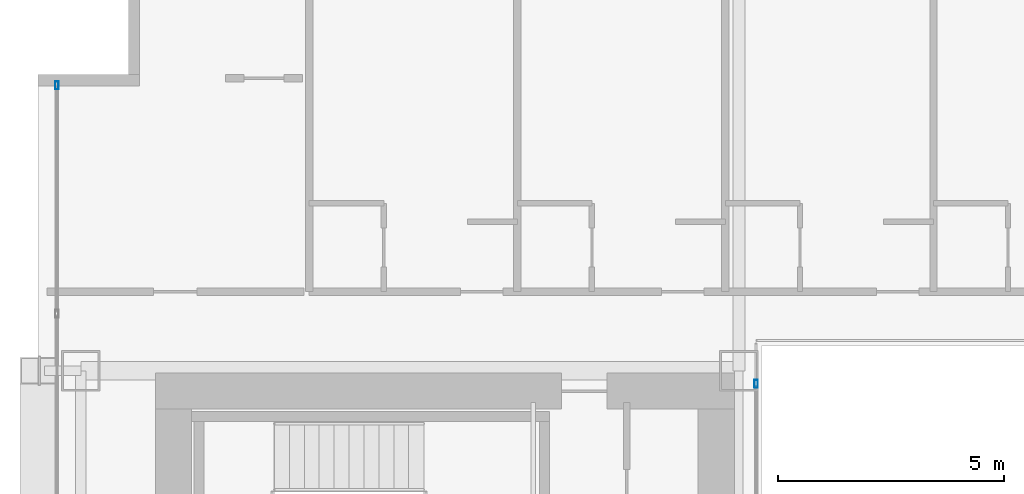
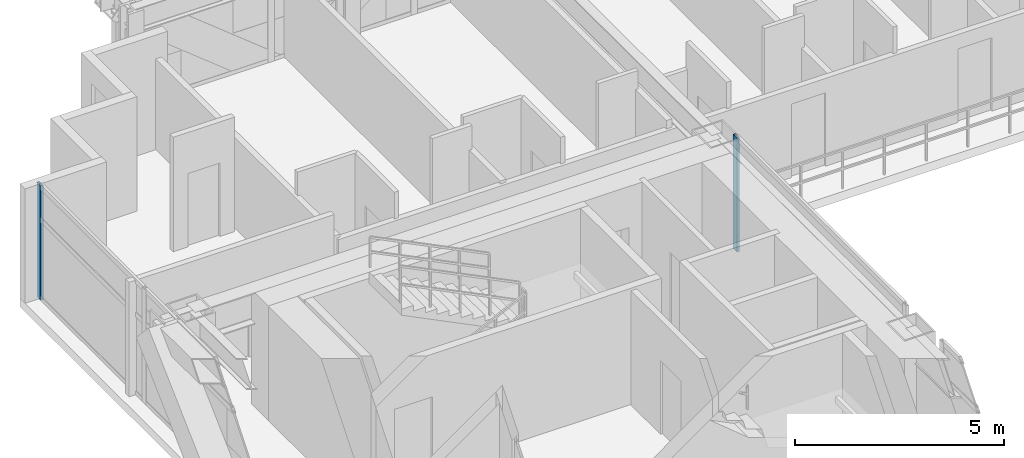
# One storey, part 20 of 41: 2 members, 2 elements without a shape of their own.
"""IFC4 building model written with IfcOpenShell, lengths in metres."""

from ifc_helpers import new_model, si_unit, direction, frame, origin, origin_2d, place, context, subcontext, project, spatial, hollow_rectangle, extrude, source, transform, mapped, material, layer, layer_set, material_profile, profile_set, type_object, element, aggregate, save


model = new_model("IFC4")

# Units and contexts
model_context = context("Model", 3, precision=1e-05, world=origin(), true_north=direction((0.0, 1.0)))
body_context = subcontext(model_context, "Body", "Model", "MODEL_VIEW")
ifc_project = project(units=[si_unit("LENGTHUNIT", "METRE"), si_unit("AREAUNIT", "SQUARE_METRE"), si_unit("VOLUMEUNIT", "CUBIC_METRE"), si_unit("PLANEANGLEUNIT", "RADIAN"), si_unit("MASSUNIT", "GRAM", prefix="KILO")], contexts=[model_context])

# Site, building, storey
site_placement = place(None, origin())
site = spatial("IfcSite", under=ifc_project, at=site_placement, CompositionType="ELEMENT")
building_placement = place(site_placement, origin())
building = spatial("IfcBuilding", under=site, at=building_placement, Name="Ocotamira Hotel", CompositionType="ELEMENT")
storey_placement = place(building_placement, frame((0.0, 0.0, 38.39990234375)))
storey = spatial("IfcBuildingStorey", under=building, at=storey_placement, Name="L08", CompositionType="ELEMENT", Elevation=38.39990234375)

# Curtain wall, member
ifc_material_1 = material(Name="Anodised pale-metal aluminium and solar glass", Category="aluminium")
ifc_layer_1 = layer(ifc_material_1, 0.179931640625)
ifc_layer_set_1 = layer_set([ifc_layer_1], Name="Anodised pale-metal aluminium and solar glass")
curtain_wall_type_1 = type_object("IfcCurtainWallType", Name="CW-SYS2-Z1", PredefinedType="NOTDEFINED", material=ifc_layer_set_1)
curtain_wall_1_placement = place(storey_placement, origin())
curtain_wall_1 = element("IfcCurtainWall", 1, at=curtain_wall_1_placement, inside=storey, type_object=curtain_wall_type_1, Name="L08 Curtain Wall CW-2 CW-L08-W", PredefinedType="NOTDEFINED")
ifc_material_2 = material(Name="Anodised pale-metal aluminium 6063-T6", Category="aluminium")
ifc_material_profile = material_profile(ifc_material_2, hollow_rectangle(XDim=0.080078125, YDim=0.179931640625, WallThickness=0.006103515625, at=origin_2d()), Name="HSS180X80X6")
ifc_profile_set = profile_set([ifc_material_profile], Name="Anodised pale-metal aluminium 6063-T6")
member_type = type_object("IfcMemberType", Name="CWM-180X75", PredefinedType="MULLION", material=ifc_profile_set)
shared_shape = source(origin(), body_context, "Body", "SweptSolid", [
    extrude(hollow_rectangle(XDim=0.080078125, YDim=0.179931640625, WallThickness=0.006103515625, at=origin_2d()), origin(), (0.0, 0.0, 1.0), 3.35009765625),
])
member_1_placement = place(storey_placement, frame((8.419921875, 43.760009765625, 0.0), z_axis=(0.0, 0.0, 1.0), x_axis=(-1.0, 0.0, 0.0)))
member_1 = element("IfcMember", 2, at=member_1_placement, type_object=member_type, Name="CW-2 mullion 8", PredefinedType="MULLION", context=body_context, shape_type="MappedRepresentation", body=[
    mapped(shared_shape, transform((0.0, 0.0, 0.0), scale=1.0)),
])
aggregate(curtain_wall_1, [member_1])

ifc_layer_2 = layer(ifc_material_1, 0.159912109375)
ifc_layer_set_2 = layer_set([ifc_layer_2], Name="Anodised pale-metal aluminium and solar glass")
curtain_wall_type_2 = type_object("IfcCurtainWallType", Name="CW-SYS6-ATR", PredefinedType="NOTDEFINED", material=ifc_layer_set_2)
curtain_wall_2_placement = place(storey_placement, origin())
curtain_wall_2 = element("IfcCurtainWall", 3, at=curtain_wall_2_placement, inside=storey, type_object=curtain_wall_type_2, Name="L08 Curtain Wall CW-6 CW-L08-ATRW2", PredefinedType="NOTDEFINED")
member_2_placement = place(storey_placement, frame((23.8798828125, 37.159912109375, 0.0), z_axis=(0.0, 0.0, 1.0), x_axis=(-1.0, 0.0, 0.0)))
member_2 = element("IfcMember", 4, at=member_2_placement, type_object=member_type, Name="CW-6 mullion 2", PredefinedType="MULLION", context=body_context, shape_type="MappedRepresentation", body=[
    mapped(shared_shape, transform((0.0, 0.0, 0.0), scale=1.0)),
])
aggregate(curtain_wall_2, [member_2])

save(model, "model.ifc")
